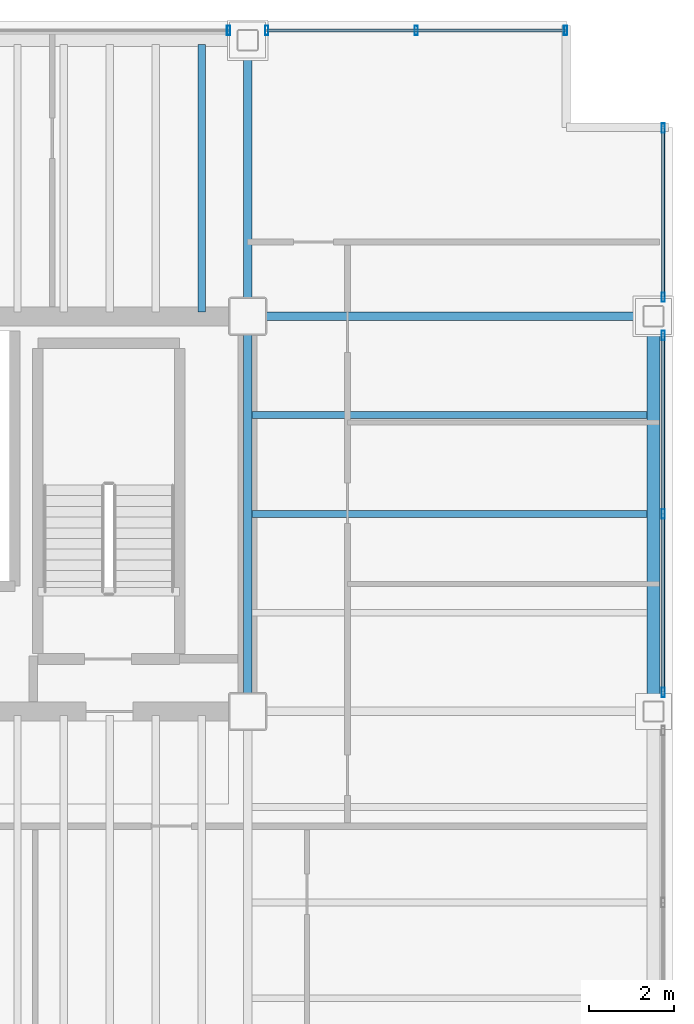
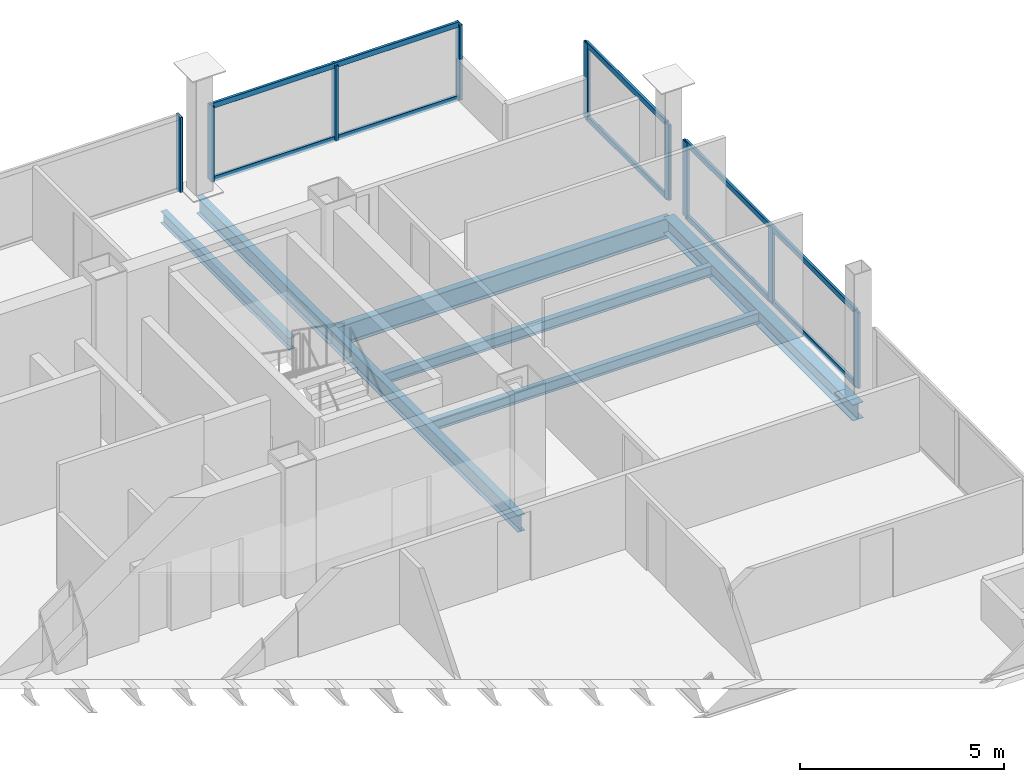
# One storey, part 11 of 16: 15 members, 7 beams, 4 elements without a shape of their own.
"""IFC4 building model written with IfcOpenShell, lengths in metres."""

from ifc_helpers import new_model, si_unit, direction, frame, origin, origin_2d, place, context, subcontext, project, spatial, hollow_rectangle, i_section, extrude, material, material_profile, profile_set, type_object, element, aggregate, save


model = new_model("IFC4")

# Units and contexts
model_context = context("Model", 3, precision=1e-05, world=origin(), true_north=direction((0.0, 1.0)))
body_context = subcontext(model_context, "Body", "Model", "MODEL_VIEW")
ifc_project = project(units=[si_unit("LENGTHUNIT", "METRE"), si_unit("AREAUNIT", "SQUARE_METRE"), si_unit("VOLUMEUNIT", "CUBIC_METRE"), si_unit("PLANEANGLEUNIT", "RADIAN"), si_unit("MASSUNIT", "GRAM", prefix="KILO")], contexts=[model_context])

# Site, building, storey
site_placement = place(None, origin())
site = spatial("IfcSite", under=ifc_project, at=site_placement, CompositionType="ELEMENT")
building_placement = place(site_placement, origin())
building = spatial("IfcBuilding", under=site, at=building_placement, Name="Noeulbin Bourse Tower", CompositionType="ELEMENT")
storey_placement = place(building_placement, frame((0.0, 0.0, 192.89990234375)))
storey = spatial("IfcBuildingStorey", under=building, at=storey_placement, Name="L48", CompositionType="ELEMENT", Elevation=192.89990234375)

# Beams
ifc_material_1 = material(Name="Steel S355", Category="steel")
ifc_material_profile_1 = material_profile(ifc_material_1, i_section(OverallWidth=0.199951171875, OverallDepth=0.5, WebThickness=0.010009765625, FlangeThickness=0.01611328125, FilletRadius=0.02001953125, at=origin_2d()), Name="H-500x200x10x16", Category="LoadBearing")
ifc_profile_set_1 = profile_set([ifc_material_profile_1], Name="Steel S355")
beam_type_1 = type_object("IfcBeamType", Name="BM-GRD-500", PredefinedType="USERDEFINED", material=ifc_profile_set_1)
beam_1_placement = place(storey_placement, frame((44.0, 29.0, -0.429931640625), z_axis=(0.0, 1.0, 0.0), x_axis=(-1.0, 0.0, 0.0)))
element("IfcBeam", 1, at=beam_1_placement, inside=storey, type_object=beam_type_1, Name="Tower Primary Girder NS L48-5.3", ObjectType="GIRDER", PredefinedType="USERDEFINED", context=body_context, shape_type="SweptSolid", body=[
    extrude(i_section(OverallWidth=0.199951171875, OverallDepth=0.5, WebThickness=0.010009765625, FlangeThickness=0.01611328125, FilletRadius=0.02001953125, at=origin_2d()), origin(), (0.0, 0.0, 1.0), 9.300048828125),
])
beam_2_placement = place(storey_placement, frame((44.0, 38.300048828125, -0.429931640625), z_axis=(0.0, 1.0, 0.0), x_axis=(-1.0, 0.0, 0.0)))
element("IfcBeam", 2, at=beam_2_placement, inside=storey, type_object=beam_type_1, Name="Tower Primary Girder NS L48-5.4", ObjectType="GIRDER", PredefinedType="USERDEFINED", context=body_context, shape_type="SweptSolid", body=[
    extrude(i_section(OverallWidth=0.199951171875, OverallDepth=0.5, WebThickness=0.010009765625, FlangeThickness=0.01611328125, FilletRadius=0.02001953125, at=origin_2d()), origin(), (0.0, 0.0, 1.0), 6.5),
])
ifc_material_profile_2 = material_profile(ifc_material_1, i_section(OverallWidth=0.199951171875, OverallDepth=0.60009765625, WebThickness=0.010986328125, FlangeThickness=0.01708984375, FilletRadius=0.02197265625, at=origin_2d()), Name="H-600x200x11x17", Category="LoadBearing")
ifc_profile_set_2 = profile_set([ifc_material_profile_2], Name="Steel S355")
beam_type_2 = type_object("IfcBeamType", Name="BM-GRD-600", PredefinedType="USERDEFINED", material=ifc_profile_set_2)
beam_3_placement = place(storey_placement, frame((44.0, 38.300048828125, -0.47998046875), z_axis=(1.0, 0.0, 0.0), x_axis=(0.0, 1.0, 0.0)))
element("IfcBeam", 3, at=beam_3_placement, inside=storey, type_object=beam_type_2, Name="Tower Primary Girder EW L48-3.6", ObjectType="GIRDER", PredefinedType="USERDEFINED", context=body_context, shape_type="SweptSolid", body=[
    extrude(i_section(OverallWidth=0.199951171875, OverallDepth=0.60009765625, WebThickness=0.010986328125, FlangeThickness=0.01708984375, FilletRadius=0.02197265625, at=origin_2d()), origin(), (0.0, 0.0, 1.0), 9.550048828125),
])
ifc_material_profile_3 = material_profile(ifc_material_1, i_section(OverallWidth=0.159912109375, OverallDepth=0.320068359375, WebThickness=0.006591796875, FlangeThickness=0.010009765625, FilletRadius=0.012939453125, at=origin_2d()), Name="H-320x160x6.5x10", Category="LoadBearing")
ifc_profile_set_3 = profile_set([ifc_material_profile_3], Name="Steel S355")
beam_type_3 = type_object("IfcBeamType", Name="BM-JST-320", PredefinedType="JOIST", material=ifc_profile_set_3)
for number, where, z_axis, x_axis, name in (
    (4, (44.10009765625, 33.64990234375, -0.33984375), (1.0, 0.0, 0.0), (0.0, 1.0, 0.0), "Wing Composite Joist L48-E77"),
    (5, (44.10009765625, 35.97509765625, -0.33984375), (1.0, 0.0, 0.0), (0.0, 1.0, 0.0), "Wing Composite Joist L48-E78"),
):
    element("IfcBeam", number, at=place(storey_placement, frame(where, z_axis=z_axis, x_axis=x_axis)), inside=storey, type_object=beam_type_3, Name=name, PredefinedType="JOIST", context=body_context, shape_type="SweptSolid", body=[
        extrude(i_section(OverallWidth=0.159912109375, OverallDepth=0.320068359375, WebThickness=0.006591796875, FlangeThickness=0.010009765625, FilletRadius=0.012939453125, at=origin_2d()), origin(), (0.0, 0.0, 1.0), 9.2998046875),
    ])
ifc_material_profile_4 = material_profile(ifc_material_1, i_section(OverallWidth=0.175048828125, OverallDepth=0.35009765625, WebThickness=0.007080078125, FlangeThickness=0.010986328125, FilletRadius=0.013916015625, at=origin_2d()), Name="H-350x175x7x11", Category="LoadBearing")
ifc_profile_set_4 = profile_set([ifc_material_profile_4], Name="Steel S355")
beam_type_4 = type_object("IfcBeamType", Name="BM-JST-350", PredefinedType="JOIST", material=ifc_profile_set_4)
beam_4_placement = place(storey_placement, frame((42.916748046875, 38.39990234375, -0.35498046875), z_axis=(0.0, 1.0, 0.0), x_axis=(-1.0, 0.0, 0.0)))
element("IfcBeam", 6, at=beam_4_placement, inside=storey, type_object=beam_type_4, Name="Tower Composite Joist L48-66", PredefinedType="JOIST", context=body_context, shape_type="SweptSolid", body=[
    extrude(i_section(OverallWidth=0.175048828125, OverallDepth=0.35009765625, WebThickness=0.007080078125, FlangeThickness=0.010986328125, FilletRadius=0.013916015625, at=origin_2d()), origin(), (0.0, 0.0, 1.0), 6.300048828125),
])
ifc_material_profile_5 = material_profile(ifc_material_1, i_section(OverallWidth=0.300048828125, OverallDepth=0.488037109375, WebThickness=0.010986328125, FlangeThickness=0.01806640625, FilletRadius=0.02197265625, at=origin_2d()), Name="H-488x300x11x18", Category="LoadBearing")
ifc_profile_set_5 = profile_set([ifc_material_profile_5], Name="Steel S355")
beam_type_5 = type_object("IfcBeamType", Name="BM-SPN-488", PredefinedType="SPANDREL", material=ifc_profile_set_5)
beam_5_placement = place(storey_placement, frame((53.550048828125, 29.0, -0.423828125), z_axis=(0.0, 1.0, 0.0), x_axis=(-1.0, 0.0, 0.0)))
element("IfcBeam", 7, at=beam_5_placement, inside=storey, type_object=beam_type_5, Name="East Spandrel L48-2", PredefinedType="SPANDREL", context=body_context, shape_type="SweptSolid", body=[
    extrude(i_section(OverallWidth=0.300048828125, OverallDepth=0.488037109375, WebThickness=0.010986328125, FlangeThickness=0.01806640625, FilletRadius=0.02197265625, at=origin_2d()), origin(), (0.0, 0.0, 1.0), 9.300048828125),
])

# Curtain wall, member
ifc_material_2 = material(Name="Dark Tinted Triple Glazing", Category="glass")
curtain_wall_type = type_object("IfcCurtainWallType", Name="CW-SYS-3", PredefinedType="NOTDEFINED", material=ifc_material_2)
curtain_wall_1_placement = place(storey_placement, origin())
curtain_wall_1 = element("IfcCurtainWall", 8, at=curtain_wall_1_placement, inside=storey, type_object=curtain_wall_type, Name="Unitised Curtain Wall CW-L48-N-S4", PredefinedType="NOTDEFINED")
ifc_material_3 = material(Name="Anodised Aluminium 6063-T6", Category="aluminium")
ifc_material_profile_6 = material_profile(ifc_material_3, hollow_rectangle(XDim=0.074951171875, YDim=0.219970703125, WallThickness=0.0048828125, InnerFilletRadius=0.00244140625, OuterFilletRadius=0.0048828125, at=origin_2d()), Name="ALU-MULL-75x220x5", Category="LoadBearing")
ifc_profile_set_6 = profile_set([ifc_material_profile_6], Name="Anodised Aluminium 6063-T6")
member_type_1 = type_object("IfcMemberType", Name="CW-SYS-3-MUL", PredefinedType="MULLION", material=ifc_profile_set_6)
member_1_placement = place(storey_placement, frame((43.550048828125, 45.030029296875, -0.02001953125), z_axis=(0.0, 0.0, 1.0), x_axis=(1.0, 0.0, 0.0)))
member_1 = element("IfcMember", 9, at=member_1_placement, type_object=member_type_1, Name="Curtain Wall Mullion CW-L48-N-S4-M01", PredefinedType="MULLION", context=body_context, shape_type="SweptSolid", body=[
    extrude(hollow_rectangle(XDim=0.074951171875, YDim=0.219970703125, WallThickness=0.0048828125, InnerFilletRadius=0.00244140625, OuterFilletRadius=0.0048828125, at=origin_2d()), origin(), (0.0, 0.0, 1.0), 2.260009765625),
])
aggregate(curtain_wall_1, [member_1])

# Curtain wall, members
curtain_wall_2_placement = place(storey_placement, origin())
curtain_wall_2 = element("IfcCurtainWall", 10, at=curtain_wall_2_placement, inside=storey, type_object=curtain_wall_type, Name="Unitised Curtain Wall CW-L48-N-S5", PredefinedType="NOTDEFINED")
member_2_placement = place(storey_placement, frame((44.449951171875, 45.030029296875, -0.02001953125), z_axis=(0.0, 0.0, 1.0), x_axis=(1.0, 0.0, 0.0)))
member_2 = element("IfcMember", 11, at=member_2_placement, type_object=member_type_1, Name="Curtain Wall Mullion CW-L48-N-S5-M00", PredefinedType="MULLION", context=body_context, shape_type="SweptSolid", body=[
    extrude(hollow_rectangle(XDim=0.074951171875, YDim=0.219970703125, WallThickness=0.0048828125, InnerFilletRadius=0.00244140625, OuterFilletRadius=0.0048828125, at=origin_2d()), origin(), (0.0, 0.0, 1.0), 2.260009765625),
])
member_3_placement = place(storey_placement, frame((47.965087890625, 45.030029296875, -0.02001953125), z_axis=(0.0, 0.0, 1.0), x_axis=(1.0, 0.0, 0.0)))
member_3 = element("IfcMember", 12, at=member_3_placement, type_object=member_type_1, Name="Curtain Wall Mullion CW-L48-N-S5-M01", PredefinedType="MULLION", context=body_context, shape_type="SweptSolid", body=[
    extrude(hollow_rectangle(XDim=0.074951171875, YDim=0.219970703125, WallThickness=0.0048828125, InnerFilletRadius=0.00244140625, OuterFilletRadius=0.0048828125, at=origin_2d()), origin(), (0.0, 0.0, 1.0), 2.260009765625),
])
member_4_placement = place(storey_placement, frame((51.47998046875, 45.030029296875, -0.02001953125), z_axis=(0.0, 0.0, 1.0), x_axis=(1.0, 0.0, 0.0)))
member_4 = element("IfcMember", 13, at=member_4_placement, type_object=member_type_1, Name="Curtain Wall Mullion CW-L48-N-S5-M02", PredefinedType="MULLION", context=body_context, shape_type="SweptSolid", body=[
    extrude(hollow_rectangle(XDim=0.074951171875, YDim=0.219970703125, WallThickness=0.0048828125, InnerFilletRadius=0.00244140625, OuterFilletRadius=0.0048828125, at=origin_2d()), origin(), (0.0, 0.0, 1.0), 2.260009765625),
])

curtain_wall_3_placement = place(storey_placement, origin())
curtain_wall_3 = element("IfcCurtainWall", 14, at=curtain_wall_3_placement, inside=storey, type_object=curtain_wall_type, Name="Unitised Curtain Wall CW-L48-E-S2", PredefinedType="NOTDEFINED")
member_5_placement = place(storey_placement, frame((53.780029296875, 29.449951171875, -0.02001953125), z_axis=(0.0, 0.0, 1.0), x_axis=(1.0, 0.0, 0.0)))
member_5 = element("IfcMember", 15, at=member_5_placement, type_object=member_type_1, Name="Curtain Wall Mullion CW-L48-E-S2-M00", PredefinedType="MULLION", context=body_context, shape_type="SweptSolid", body=[
    extrude(hollow_rectangle(XDim=0.074951171875, YDim=0.219970703125, WallThickness=0.0048828125, InnerFilletRadius=0.00244140625, OuterFilletRadius=0.0048828125, at=origin_2d()), origin(), (0.0, 0.0, 1.0), 2.260009765625),
])
member_6_placement = place(storey_placement, frame((53.780029296875, 33.64990234375, -0.02001953125), z_axis=(0.0, 0.0, 1.0), x_axis=(1.0, 0.0, 0.0)))
member_6 = element("IfcMember", 16, at=member_6_placement, type_object=member_type_1, Name="Curtain Wall Mullion CW-L48-E-S2-M01", PredefinedType="MULLION", context=body_context, shape_type="SweptSolid", body=[
    extrude(hollow_rectangle(XDim=0.074951171875, YDim=0.219970703125, WallThickness=0.0048828125, InnerFilletRadius=0.00244140625, OuterFilletRadius=0.0048828125, at=origin_2d()), origin(), (0.0, 0.0, 1.0), 2.260009765625),
])
member_7_placement = place(storey_placement, frame((53.780029296875, 37.85009765625, -0.02001953125), z_axis=(0.0, 0.0, 1.0), x_axis=(1.0, 0.0, 0.0)))
member_7 = element("IfcMember", 17, at=member_7_placement, type_object=member_type_1, Name="Curtain Wall Mullion CW-L48-E-S2-M02", PredefinedType="MULLION", context=body_context, shape_type="SweptSolid", body=[
    extrude(hollow_rectangle(XDim=0.074951171875, YDim=0.219970703125, WallThickness=0.0048828125, InnerFilletRadius=0.00244140625, OuterFilletRadius=0.0048828125, at=origin_2d()), origin(), (0.0, 0.0, 1.0), 2.260009765625),
])

curtain_wall_4_placement = place(storey_placement, origin())
curtain_wall_4 = element("IfcCurtainWall", 18, at=curtain_wall_4_placement, inside=storey, type_object=curtain_wall_type, Name="Unitised Curtain Wall CW-L48-E-S3", PredefinedType="NOTDEFINED")
member_8_placement = place(storey_placement, frame((53.780029296875, 38.75, -0.02001953125), z_axis=(0.0, 0.0, 1.0), x_axis=(1.0, 0.0, 0.0)))
member_8 = element("IfcMember", 19, at=member_8_placement, type_object=member_type_1, Name="Curtain Wall Mullion CW-L48-E-S3-M00", PredefinedType="MULLION", context=body_context, shape_type="SweptSolid", body=[
    extrude(hollow_rectangle(XDim=0.074951171875, YDim=0.219970703125, WallThickness=0.0048828125, InnerFilletRadius=0.00244140625, OuterFilletRadius=0.0048828125, at=origin_2d()), origin(), (0.0, 0.0, 1.0), 2.260009765625),
])
member_9_placement = place(storey_placement, frame((53.780029296875, 42.72998046875, -0.02001953125), z_axis=(0.0, 0.0, 1.0), x_axis=(1.0, 0.0, 0.0)))
member_9 = element("IfcMember", 20, at=member_9_placement, type_object=member_type_1, Name="Curtain Wall Mullion CW-L48-E-S3-M01", PredefinedType="MULLION", context=body_context, shape_type="SweptSolid", body=[
    extrude(hollow_rectangle(XDim=0.074951171875, YDim=0.219970703125, WallThickness=0.0048828125, InnerFilletRadius=0.00244140625, OuterFilletRadius=0.0048828125, at=origin_2d()), origin(), (0.0, 0.0, 1.0), 2.260009765625),
])

# Member
ifc_material_profile_7 = material_profile(ifc_material_3, hollow_rectangle(XDim=0.074951171875, YDim=0.159912109375, WallThickness=0.0048828125, InnerFilletRadius=0.00244140625, OuterFilletRadius=0.0048828125, at=origin_2d()), Name="ALU-TRAN-75x160x5", Category="LoadBearing")
ifc_profile_set_7 = profile_set([ifc_material_profile_7], Name="Anodised Aluminium 6063-T6")
member_type_2 = type_object("IfcMemberType", Name="CW-SYS-3-TRN", PredefinedType="USERDEFINED", material=ifc_profile_set_7)
member_10_placement = place(storey_placement, frame((44.4599609375, 45.030029296875, 0.010009765625), z_axis=(1.0, 0.0, 0.0), x_axis=(0.0, 1.0, 0.0)))
member_10 = element("IfcMember", 21, at=member_10_placement, type_object=member_type_2, Name="Curtain Wall Transom CW-L48-N-S5-T00", ObjectType="TRANSOM", PredefinedType="USERDEFINED", context=body_context, shape_type="SweptSolid", body=[
    extrude(hollow_rectangle(XDim=0.074951171875, YDim=0.159912109375, WallThickness=0.0048828125, InnerFilletRadius=0.00244140625, OuterFilletRadius=0.0048828125, at=origin_2d()), origin(), (0.0, 0.0, 1.0), 7.010009765625),
])

member_11_placement = place(storey_placement, frame((44.4599609375, 45.030029296875, 2.210205078125), z_axis=(1.0, 0.0, 0.0), x_axis=(0.0, 1.0, 0.0)))
member_11 = element("IfcMember", 22, at=member_11_placement, type_object=member_type_2, Name="Curtain Wall Transom CW-L48-N-S5-T01", ObjectType="TRANSOM", PredefinedType="USERDEFINED", context=body_context, shape_type="SweptSolid", body=[
    extrude(hollow_rectangle(XDim=0.074951171875, YDim=0.159912109375, WallThickness=0.0048828125, InnerFilletRadius=0.00244140625, OuterFilletRadius=0.0048828125, at=origin_2d()), origin(), (0.0, 0.0, 1.0), 7.010009765625),
])

aggregate(curtain_wall_2, [member_2, member_3, member_4, member_10, member_11])

member_12_placement = place(storey_placement, frame((53.780029296875, 29.4599609375, 0.010009765625), z_axis=(0.0, 1.0, 0.0), x_axis=(-1.0, 0.0, 0.0)))
member_12 = element("IfcMember", 23, at=member_12_placement, type_object=member_type_2, Name="Curtain Wall Transom CW-L48-E-S2-T00", ObjectType="TRANSOM", PredefinedType="USERDEFINED", context=body_context, shape_type="SweptSolid", body=[
    extrude(hollow_rectangle(XDim=0.074951171875, YDim=0.159912109375, WallThickness=0.0048828125, InnerFilletRadius=0.00244140625, OuterFilletRadius=0.0048828125, at=origin_2d()), origin(), (0.0, 0.0, 1.0), 8.380126953125),
])

member_13_placement = place(storey_placement, frame((53.780029296875, 29.4599609375, 2.210205078125), z_axis=(0.0, 1.0, 0.0), x_axis=(-1.0, 0.0, 0.0)))
member_13 = element("IfcMember", 24, at=member_13_placement, type_object=member_type_2, Name="Curtain Wall Transom CW-L48-E-S2-T01", ObjectType="TRANSOM", PredefinedType="USERDEFINED", context=body_context, shape_type="SweptSolid", body=[
    extrude(hollow_rectangle(XDim=0.074951171875, YDim=0.159912109375, WallThickness=0.0048828125, InnerFilletRadius=0.00244140625, OuterFilletRadius=0.0048828125, at=origin_2d()), origin(), (0.0, 0.0, 1.0), 8.380126953125),
])

aggregate(curtain_wall_3, [member_5, member_6, member_7, member_12, member_13])

member_14_placement = place(storey_placement, frame((53.780029296875, 38.760009765625, 0.010009765625), z_axis=(0.0, 1.0, 0.0), x_axis=(-1.0, 0.0, 0.0)))
member_14 = element("IfcMember", 25, at=member_14_placement, type_object=member_type_2, Name="Curtain Wall Transom CW-L48-E-S3-T00", ObjectType="TRANSOM", PredefinedType="USERDEFINED", context=body_context, shape_type="SweptSolid", body=[
    extrude(hollow_rectangle(XDim=0.074951171875, YDim=0.159912109375, WallThickness=0.0048828125, InnerFilletRadius=0.00244140625, OuterFilletRadius=0.0048828125, at=origin_2d()), origin(), (0.0, 0.0, 1.0), 3.9599609375),
])

member_15_placement = place(storey_placement, frame((53.780029296875, 38.760009765625, 2.210205078125), z_axis=(0.0, 1.0, 0.0), x_axis=(-1.0, 0.0, 0.0)))
member_15 = element("IfcMember", 26, at=member_15_placement, type_object=member_type_2, Name="Curtain Wall Transom CW-L48-E-S3-T01", ObjectType="TRANSOM", PredefinedType="USERDEFINED", context=body_context, shape_type="SweptSolid", body=[
    extrude(hollow_rectangle(XDim=0.074951171875, YDim=0.159912109375, WallThickness=0.0048828125, InnerFilletRadius=0.00244140625, OuterFilletRadius=0.0048828125, at=origin_2d()), origin(), (0.0, 0.0, 1.0), 3.9599609375),
])

aggregate(curtain_wall_4, [member_8, member_9, member_14, member_15])

save(model, "model.ifc")
